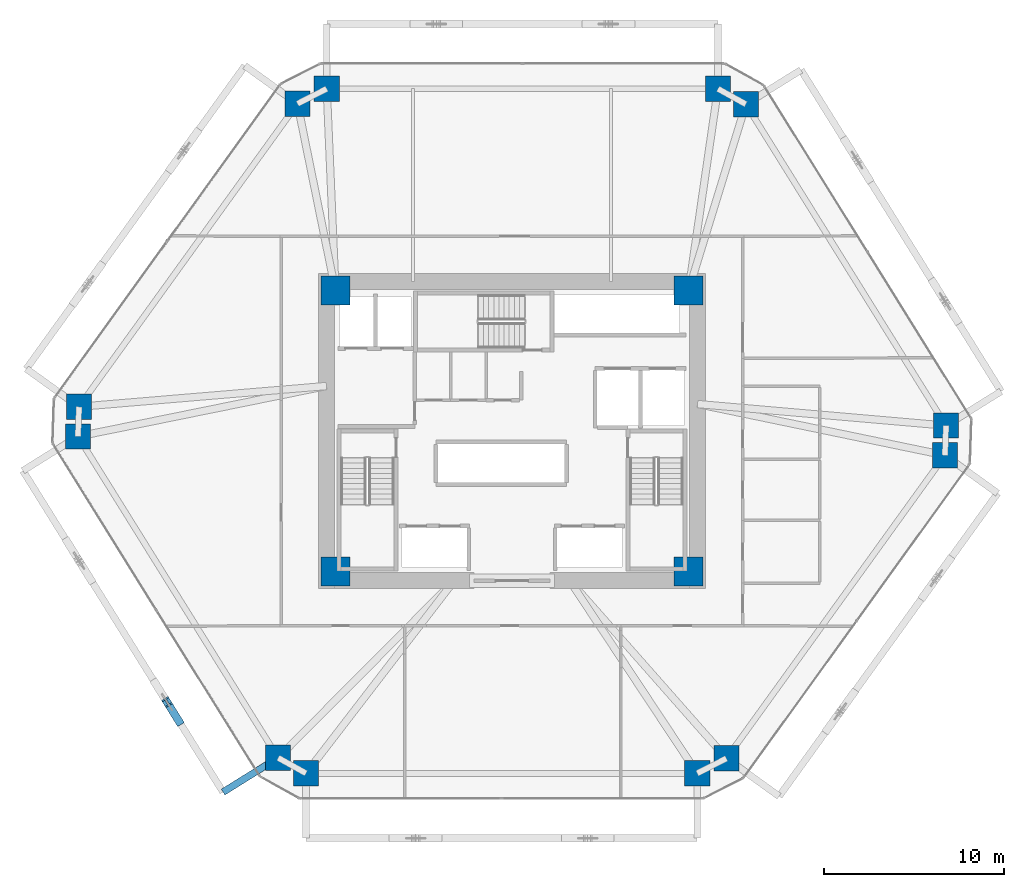
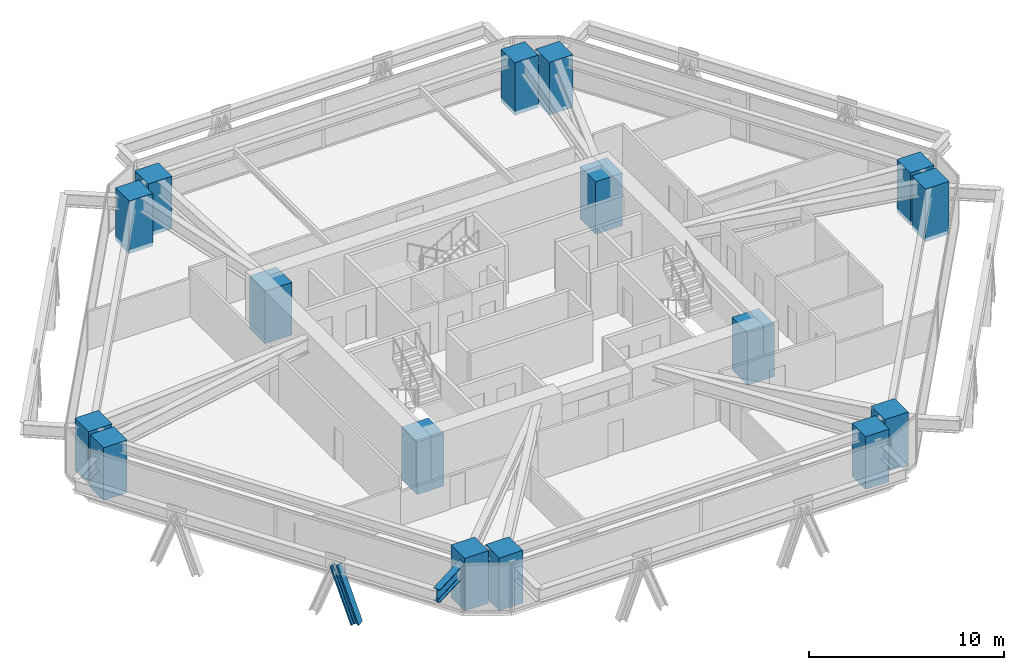
# One storey, part 1 of 16: 16 columns, 1 beam, 1 member.
"""IFC4 building model written with IfcOpenShell, lengths in metres."""

from ifc_helpers import new_model, si_unit, direction, frame, origin, origin_2d, place, context, subcontext, project, spatial, rectangle, i_section, extrude, source, transform, mapped, material, material_profile, profile_set, type_object, type_shapes, element, save


model = new_model("IFC4")

# Units and contexts
model_context = context("Model", 3, precision=1e-05, world=origin(), true_north=direction((0.0, 1.0)))
body_context = subcontext(model_context, "Body", "Model", "MODEL_VIEW")
ifc_project = project(units=[si_unit("LENGTHUNIT", "METRE"), si_unit("AREAUNIT", "SQUARE_METRE"), si_unit("VOLUMEUNIT", "CUBIC_METRE"), si_unit("PLANEANGLEUNIT", "RADIAN"), si_unit("MASSUNIT", "GRAM", prefix="KILO")], contexts=[model_context])

# Site, building, storey
site_placement = place(None, origin())
site = spatial("IfcSite", under=ifc_project, at=site_placement, CompositionType="ELEMENT")
building_placement = place(site_placement, origin())
building = spatial("IfcBuilding", under=site, at=building_placement, Name="Durnholm Broadcast Tower", CompositionType="ELEMENT")
storey_placement = place(building_placement, frame((0.0, 0.0, 65.39990234375)))
storey = spatial("IfcBuildingStorey", under=building, at=storey_placement, Name="L16", CompositionType="ELEMENT", Elevation=65.39990234375)

# Columns
ifc_material_1 = material(Name="Concrete C70/85", Category="concrete")
ifc_material_profile_1 = material_profile(ifc_material_1, rectangle(XDim=1.60009765625, YDim=1.60009765625, at=origin_2d()), Name="RC1600X1600")
ifc_profile_set_1 = profile_set([ifc_material_profile_1], Name="Concrete C70/85")
column_type_1 = type_object("IfcColumnType", Name="COL-CC-1600", PredefinedType="COLUMN", material=ifc_profile_set_1)
shared_shape_1 = source(origin(), body_context, "Body", "SweptSolid", [
    extrude(rectangle(XDim=1.60009765625, YDim=1.60009765625, at=origin_2d()), origin(), (0.0, 0.0, 1.0), 3.300048828125),
])
type_shapes(column_type_1, [shared_shape_1])
for number, where, z_axis, x_axis, name in (
    (1, (-9.800048828125, -7.800048828125, -0.239990234375), (0.0, 0.0, 1.0), (1.0, 0.0, 0.0), "L16 core corner column 1"),
    (2, (9.800048828125, -7.800048828125, -0.239990234375), (0.0, 0.0, 1.0), (1.0, 0.0, 0.0), "L16 core corner column 2"),
    (3, (9.800048828125, 7.800048828125, -0.239990234375), (0.0, 0.0, 1.0), (1.0, 0.0, 0.0), "L16 core corner column 3"),
    (4, (-9.800048828125, 7.800048828125, -0.239990234375), (0.0, 0.0, 1.0), (1.0, 0.0, 0.0), "L16 core corner column 4"),
):
    element("IfcColumn", number, at=place(storey_placement, frame(where, z_axis=z_axis, x_axis=x_axis)), inside=storey, type_object=column_type_1, Name=name, PredefinedType="COLUMN", context=body_context, shape_type="MappedRepresentation", body=[
        mapped(shared_shape_1, transform((0.0, 0.0, 0.0), x_axis=(1.0, 0.0, 0.0), y_axis=(0.0, 1.0, 0.0), z_axis=(0.0, 0.0, 1.0), scale=1.0)),
    ])
ifc_material_profile_2 = material_profile(ifc_material_1, rectangle(XDim=1.39990234375, YDim=1.39990234375, at=origin_2d()), Name="RC1400X1400")
ifc_profile_set_2 = profile_set([ifc_material_profile_2], Name="Concrete C70/85")
column_type_2 = type_object("IfcColumnType", Name="COL-CC-1400", PredefinedType="COLUMN", material=ifc_profile_set_2)
shared_shape_2 = source(origin(), body_context, "Body", "SweptSolid", [
    extrude(rectangle(XDim=1.39990234375, YDim=1.39990234375, at=origin_2d()), origin(), (0.0, 0.0, 1.0), 3.300048828125),
])
type_shapes(column_type_2, [shared_shape_2])
for number, where, z_axis, x_axis, name in (
    (5, (-12.982666015625, -18.138427734375, -0.239990234375), (0.0, 0.0, 1.0), (1.0, 0.0, 0.0), "L16 perimeter hexagonal tube column 01"),
    (6, (-24.0908203125, -0.2998046875, -0.239990234375), (0.0, 0.0, 1.0), (1.0, 0.0, 0.0), "L16 perimeter hexagonal tube column 02"),
    (7, (-24.034912109375, 1.347412109375, -0.239990234375), (0.0, 0.0, 1.0), (1.0, 0.0, 0.0), "L16 perimeter hexagonal tube column 03"),
    (8, (-11.907470703125, 18.16845703125, -0.239990234375), (0.0, 0.0, 1.0), (1.0, 0.0, 0.0), "L16 perimeter hexagonal tube column 04"),
    (9, (-10.28271484375, 19.0, -0.239990234375), (0.0, 0.0, 1.0), (1.0, 0.0, 0.0), "L16 perimeter hexagonal tube column 05"),
    (10, (11.43115234375, 19.0, -0.239990234375), (0.0, 0.0, 1.0), (1.0, 0.0, 0.0), "L16 perimeter hexagonal tube column 06"),
    (11, (12.982666015625, 18.138427734375, -0.239990234375), (0.0, 0.0, 1.0), (1.0, 0.0, 0.0), "L16 perimeter hexagonal tube column 07"),
    (12, (24.0908203125, 0.2998046875, -0.239990234375), (0.0, 0.0, 1.0), (1.0, 0.0, 0.0), "L16 perimeter hexagonal tube column 08"),
    (13, (24.034912109375, -1.347412109375, -0.239990234375), (0.0, 0.0, 1.0), (1.0, 0.0, 0.0), "L16 perimeter hexagonal tube column 09"),
    (14, (11.907470703125, -18.16845703125, -0.239990234375), (0.0, 0.0, 1.0), (1.0, 0.0, 0.0), "L16 perimeter hexagonal tube column 10"),
    (15, (10.28271484375, -19.0, -0.239990234375), (0.0, 0.0, 1.0), (1.0, 0.0, 0.0), "L16 perimeter hexagonal tube column 11"),
    (16, (-11.43115234375, -19.0, -0.239990234375), (0.0, 0.0, 1.0), (1.0, 0.0, 0.0), "L16 perimeter hexagonal tube column 12"),
):
    element("IfcColumn", number, at=place(storey_placement, frame(where, z_axis=z_axis, x_axis=x_axis)), inside=storey, type_object=column_type_2, Name=name, PredefinedType="COLUMN", context=body_context, shape_type="MappedRepresentation", body=[
        mapped(shared_shape_2, transform((0.0, 0.0, 0.0), x_axis=(1.0, 0.0, 0.0), y_axis=(0.0, 1.0, 0.0), z_axis=(0.0, 0.0, 1.0), scale=1.0)),
    ])

# Beam
ifc_material_2 = material(Name="Steel ASTM A992 Grade 50", Category="steel")
ifc_material_profile_3 = material_profile(ifc_material_2, i_section(OverallWidth=0.385009765625, OverallDepth=0.802978515625, WebThickness=0.023681640625, FlangeThickness=0.0419921875, FilletRadius=0.032958984375, at=origin_2d()), Name="W30X261")
ifc_profile_set_3 = profile_set([ifc_material_profile_3], Name="Steel ASTM A992 Grade 50")
beam_type = type_object("IfcBeamType", Name="BM-EXO-TIE", PredefinedType="USERDEFINED", material=ifc_profile_set_3)
shared_shape_3 = source(origin(), body_context, "Body", "SweptSolid", [
    extrude(i_section(OverallWidth=0.385009765625, OverallDepth=0.802978515625, WebThickness=0.023681640625, FlangeThickness=0.0419921875, FilletRadius=0.032958984375, at=origin_2d()), origin(), (0.0, 0.0, 1.0), 3.4560546875),
])
type_shapes(beam_type, [shared_shape_3])
beam_placement = place(storey_placement, frame((-13.10498046875, -18.214599609375, 2.30859375), z_axis=(-0.848854443891, -0.528626648105, 0.0), x_axis=(0.528626648105, -0.848854443891, 0.0)))
element("IfcBeam", 17, at=beam_placement, inside=storey, type_object=beam_type, Name="L16 exoskeleton stand-off tie bracket F6.2", ObjectType="GIRDER", PredefinedType="USERDEFINED", context=body_context, shape_type="MappedRepresentation", body=[
    mapped(shared_shape_3, transform((0.0, 0.0, 0.0), x_axis=(1.0, 0.0, 0.0), y_axis=(0.0, 1.0, 0.0), z_axis=(0.0, 0.0, 1.0), scale=1.0)),
])

# Member
ifc_material_3 = material(Name="Steel ASTM A913 Grade 65", Category="steel")
ifc_material_profile_4 = material_profile(ifc_material_3, i_section(OverallWidth=0.43212890625, OverallDepth=0.497802734375, WebThickness=0.0556640625, FlangeThickness=0.0888671875, FilletRadius=0.030517578125, at=origin_2d()), Name="W14X500")
ifc_profile_set_4 = profile_set([ifc_material_profile_4], Name="Steel ASTM A913 Grade 65")
member_type = type_object("IfcMemberType", Name="STL-DG-W14X500", PredefinedType="BRACE", material=ifc_profile_set_4)
shared_shape_4 = source(origin(), body_context, "Body", "SweptSolid", [
    extrude(i_section(OverallWidth=0.43212890625, OverallDepth=0.497802734375, WebThickness=0.0556640625, FlangeThickness=0.0888671875, FilletRadius=0.030517578125, at=origin_2d()), origin(), (0.0, 0.0, 1.0), 3.52294921875),
])
type_shapes(member_type, [shared_shape_4])
member_placement = place(storey_placement, frame((-18.496826171875, -16.09375, -0.9912109375), z_axis=(-0.185102397695, 0.297300369192, 0.936669414919), x_axis=(-0.848908635391, -0.528539618911, 0.0)))
element("IfcMember", 18, at=member_placement, inside=storey, type_object=member_type, Name="L16 stand-off diagrid brace F6.D2.2", PredefinedType="BRACE", context=body_context, shape_type="MappedRepresentation", body=[
    mapped(shared_shape_4, transform((0.0, 0.0, 0.0), x_axis=(1.0, 0.0, 0.0), y_axis=(0.0, 1.0, 0.0), z_axis=(0.0, 0.0, 1.0), scale=1.0)),
])

save(model, "model.ifc")
